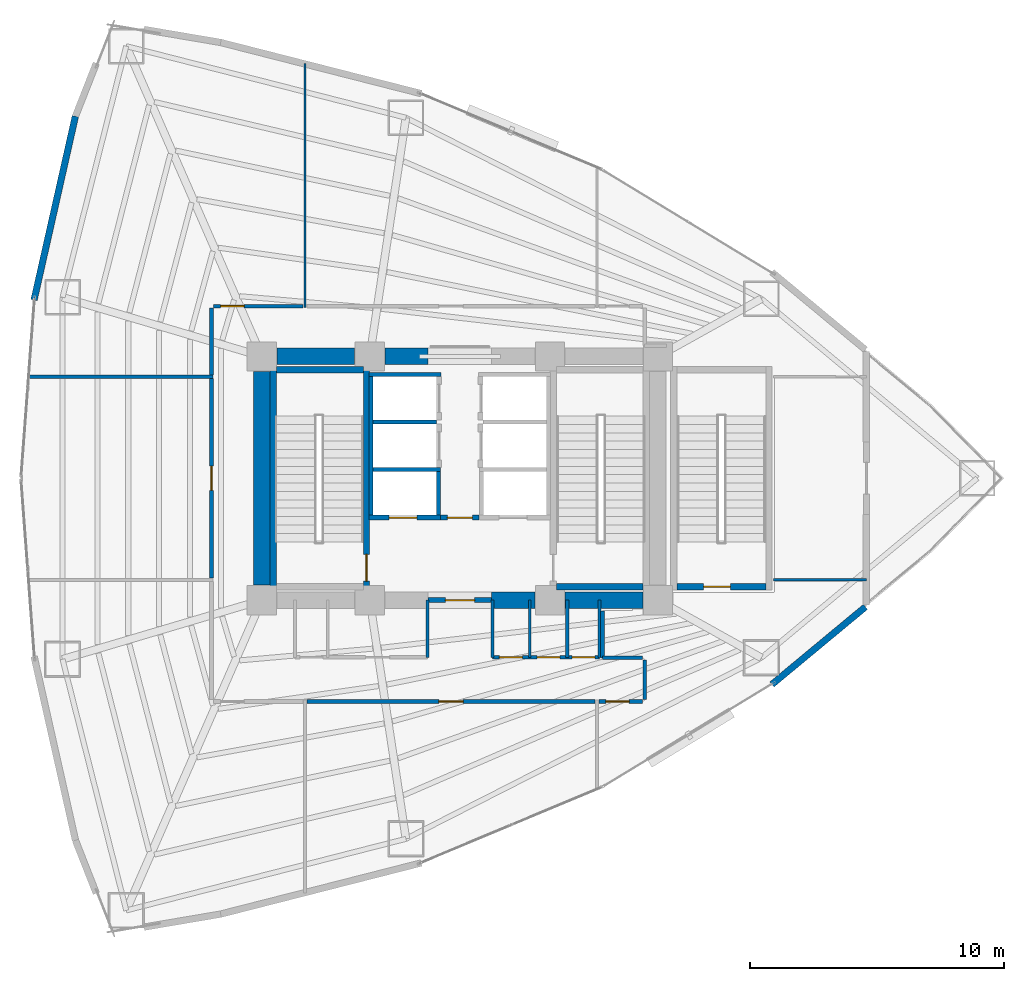
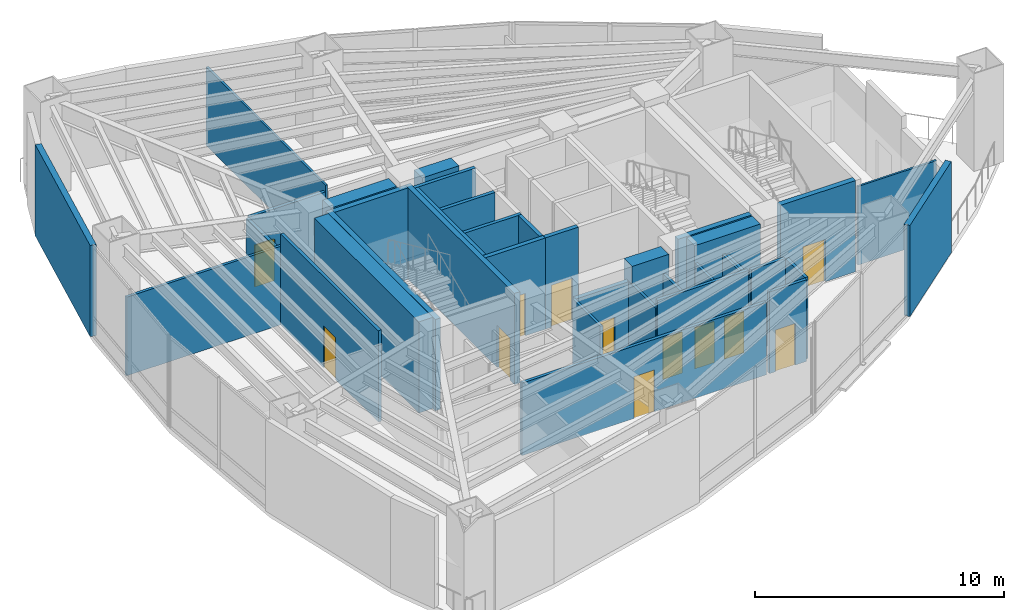
# One storey, part 14 of 18: 37 walls, 12 doors, 12 openings.
"""IFC4 building model written with IfcOpenShell, lengths in metres."""

from ifc_helpers import new_model, si_unit, direction, frame, frame_2d, origin, place, context, subcontext, project, spatial, rectangle, extrude, material, layer, layer_set, type_object, element, fill, save


model = new_model("IFC4")

# Units and contexts
model_context = context("Model", 3, precision=1e-05, world=origin(), true_north=direction((0.0, 1.0)))
body_context = subcontext(model_context, "Body", "Model", "MODEL_VIEW")
ifc_project = project(units=[si_unit("LENGTHUNIT", "METRE"), si_unit("AREAUNIT", "SQUARE_METRE"), si_unit("VOLUMEUNIT", "CUBIC_METRE"), si_unit("PLANEANGLEUNIT", "RADIAN"), si_unit("MASSUNIT", "GRAM", prefix="KILO")], contexts=[model_context])

# Site, building, storey
site_placement = place(None, origin())
site = spatial("IfcSite", under=ifc_project, at=site_placement, CompositionType="ELEMENT")
building_placement = place(site_placement, origin())
building = spatial("IfcBuilding", under=site, at=building_placement, Name="Menara Vayukalpa", CompositionType="ELEMENT")
storey_placement = place(building_placement, frame((0.0, 0.0, 18.0)))
storey = spatial("IfcBuildingStorey", under=building, at=storey_placement, Name="L03", CompositionType="ELEMENT", Elevation=18.0)

# Walls
ifc_material_1 = material(Name="Concrete C80/95", Category="concrete")
ifc_layer_1 = layer(ifc_material_1, 0.64990234375)
ifc_layer_set_1 = layer_set([ifc_layer_1], Name="Concrete C80/95")
wall_type_1 = type_object("IfcWallType", Name="WAL-CW650", PredefinedType="SHEAR", material=ifc_layer_set_1)
wall_1_placement = place(storey_placement, frame((26.85009765625, 17.199951171875, 0.0), z_axis=(0.0, 0.0, 1.0), x_axis=(1.0, 0.0, 0.0)))
element("IfcWall", 1, at=wall_1_placement, inside=storey, type_object=wall_type_1, Name="L03 Buttressed Core Shear Wall CWS3", PredefinedType="SHEAR", context=body_context, shape_type="SweptSolid", body=[
    extrude(rectangle(XDim=1.704833984375, YDim=0.64990234375, at=frame_2d((0.8525390625, 0.0))), origin(), (0.0, 0.0, 1.0), 4.47998046875),
])
wall_2_placement = place(storey_placement, frame((29.7451171875, 17.199951171875, 0.0), z_axis=(0.0, 0.0, 1.0), x_axis=(1.0, 0.0, 0.0)))
element("IfcWall", 2, at=wall_2_placement, inside=storey, type_object=wall_type_1, Name="L03 Buttressed Core Shear Wall CWS4", PredefinedType="SHEAR", context=body_context, shape_type="SweptSolid", body=[
    extrude(rectangle(XDim=3.059814453125, YDim=0.64990234375, at=frame_2d((1.52978515625, 0.0))), origin(), (0.0, 0.0, 1.0), 4.47998046875),
])
wall_3_placement = place(storey_placement, frame((18.39501953125, 26.800048828125, 0.0), z_axis=(0.0, 0.0, 1.0), x_axis=(1.0, 0.0, 0.0)))
element("IfcWall", 3, at=wall_3_placement, inside=storey, type_object=wall_type_1, Name="L03 Buttressed Core Shear Wall CWN1", PredefinedType="SHEAR", context=body_context, shape_type="SweptSolid", body=[
    extrude(rectangle(XDim=3.06005859375, YDim=0.64990234375, at=frame_2d((1.530029296875, 0.0))), origin(), (0.0, 0.0, 1.0), 4.47998046875),
])
wall_4_placement = place(storey_placement, frame((22.64501953125, 26.800048828125, 0.0), z_axis=(0.0, 0.0, 1.0), x_axis=(1.0, 0.0, 0.0)))
element("IfcWall", 4, at=wall_4_placement, inside=storey, type_object=wall_type_1, Name="L03 Buttressed Core Shear Wall CWN2", PredefinedType="SHEAR", context=body_context, shape_type="SweptSolid", body=[
    extrude(rectangle(XDim=1.705078125, YDim=0.64990234375, at=frame_2d((0.8525390625, 0.0))), origin(), (0.0, 0.0, 1.0), 4.47998046875),
])
wall_5_placement = place(storey_placement, frame((17.800048828125, 17.794921875, 0.0), z_axis=(0.0, 0.0, 1.0), x_axis=(0.0, 1.0, 0.0)))
element("IfcWall", 5, at=wall_5_placement, inside=storey, type_object=wall_type_1, Name="L03 Buttressed Core Shear Wall CWW1", PredefinedType="SHEAR", context=body_context, shape_type="SweptSolid", body=[
    extrude(rectangle(XDim=8.41015625, YDim=0.64990234375, at=frame_2d((4.205078125, 0.0))), origin(), (0.0, 0.0, 1.0), 4.47998046875),
])
ifc_material_2 = material(Name="Insulated Precast Concrete C40/50", Category="concrete")
ifc_layer_2 = layer(ifc_material_2, 0.260009765625)
ifc_layer_set_2 = layer_set([ifc_layer_2], Name="Insulated Precast Concrete C40/50")
wall_type_2 = type_object("IfcWallType", Name="WAL-EXT260", PredefinedType="PARTITIONING", material=ifc_layer_set_2)
wall_6_placement = place(storey_placement, frame((8.827880859375, 29.021484375, 0.0), z_axis=(0.0, 0.0, 1.0), x_axis=(0.219512195122, 0.975609756098, 0.0)))
element("IfcWall", 6, at=wall_6_placement, inside=storey, type_object=wall_type_2, Name="L03 Perimeter Terracotta Pier Wall 09", PredefinedType="PARTITIONING", context=body_context, shape_type="SweptSolid", body=[
    extrude(rectangle(XDim=7.417236328125, YDim=0.260009765625, at=frame_2d((3.70849609375, 0.0))), origin(), (0.0, 0.0, 1.0), 4.47998046875),
])
wall_7_placement = place(storey_placement, frame((41.572509765625, 16.933837890625, 0.0), z_axis=(0.0, 0.0, 1.0), x_axis=(-0.769749401626, -0.638346190321, 0.0)))
element("IfcWall", 7, at=wall_7_placement, inside=storey, type_object=wall_type_2, Name="L03 Perimeter Terracotta Pier Wall 18", PredefinedType="PARTITIONING", context=body_context, shape_type="SweptSolid", body=[
    extrude(rectangle(XDim=4.7861328125, YDim=0.260009765625, at=frame_2d((2.39306640625, 0.0))), origin(), (0.0, 0.0, 1.0), 4.47998046875),
])
ifc_material_3 = material(Name="Lightweight Concrete Blockwork C16/20", Category="masonry")
ifc_layer_3 = layer(ifc_material_3, 0.159912109375)
ifc_layer_set_3 = layer_set([ifc_layer_3], Name="Lightweight Concrete Blockwork C16/20")
wall_type_3 = type_object("IfcWallType", Name="WAL-FR150", PredefinedType="PARTITIONING", material=ifc_layer_set_3)
wall_8_placement = place(storey_placement, frame((22.10498046875, 20.56005859375, 0.0), z_axis=(0.0, 0.0, 1.0), x_axis=(0.0, 1.0, 0.0)))
element("IfcWall", 8, at=wall_8_placement, inside=storey, type_object=wall_type_3, Name="L03 Interior Partition IW-L03-SHW-WW", PredefinedType="PARTITIONING", context=body_context, shape_type="SweptSolid", body=[
    extrude(rectangle(XDim=5.449951171875, YDim=0.159912109375, at=frame_2d((2.72509765625, 0.0))), origin(), (0.0, 0.0, 1.0), 4.47998046875),
])
wall_9_placement = place(storey_placement, frame((24.7548828125, 20.56005859375, 0.0), z_axis=(0.0, 0.0, 1.0), x_axis=(0.0, 1.0, 0.0)))
element("IfcWall", 9, at=wall_9_placement, inside=storey, type_object=wall_type_3, Name="L03 Interior Partition IW-L03-SHW-W1E", PredefinedType="PARTITIONING", context=body_context, shape_type="SweptSolid", body=[
    extrude(rectangle(XDim=1.7099609375, YDim=0.159912109375, at=frame_2d((0.85498046875, 0.0))), origin(), (0.0, 0.0, 1.0), 4.47998046875),
])
wall_10_placement = place(storey_placement, frame((22.179931640625, 22.344970703125, 0.0), z_axis=(0.0, 0.0, 1.0), x_axis=(1.0, 0.0, 0.0)))
element("IfcWall", 10, at=wall_10_placement, inside=storey, type_object=wall_type_3, Name="L03 Interior Partition IW-L03-SHM-W12", PredefinedType="PARTITIONING", context=body_context, shape_type="SweptSolid", body=[
    extrude(rectangle(XDim=2.650146484375, YDim=0.159912109375, at=frame_2d((1.3251953125, 0.0))), origin(), (0.0, 0.0, 1.0), 4.47998046875),
])
wall_11_placement = place(storey_placement, frame((22.179931640625, 24.215087890625, 0.0), z_axis=(0.0, 0.0, 1.0), x_axis=(1.0, 0.0, 0.0)))
element("IfcWall", 11, at=wall_11_placement, inside=storey, type_object=wall_type_3, Name="L03 Interior Partition IW-L03-SHM-W23", PredefinedType="PARTITIONING", context=body_context, shape_type="SweptSolid", body=[
    extrude(rectangle(XDim=2.489990234375, YDim=0.159912109375, at=frame_2d((1.2451171875, 0.0))), origin(), (0.0, 0.0, 1.0), 4.47998046875),
])
wall_12_placement = place(storey_placement, frame((22.030029296875, 26.0849609375, 0.0), z_axis=(0.0, 0.0, 1.0), x_axis=(1.0, 0.0, 0.0)))
element("IfcWall", 12, at=wall_12_placement, inside=storey, type_object=wall_type_3, Name="L03 Interior Partition IW-L03-SHM-W3N", PredefinedType="PARTITIONING", context=body_context, shape_type="SweptSolid", body=[
    extrude(rectangle(XDim=2.830078125, YDim=0.159912109375, at=frame_2d((1.4150390625, 0.0))), origin(), (0.0, 0.0, 1.0), 4.47998046875),
])

# Wall, opening, door
ifc_material_4 = material(Name="Lightweight Concrete Blockwork C16/20", Category="masonry")
ifc_layer_4 = layer(ifc_material_4, 0.199951171875)
ifc_layer_set_4 = layer_set([ifc_layer_4], Name="Lightweight Concrete Blockwork C16/20")
wall_type_4 = type_object("IfcWallType", Name="WAL-FR200", PredefinedType="PARTITIONING", material=ifc_layer_set_4)
wall_13_placement = place(storey_placement, frame((24.35009765625, 17.199951171875, 0.0), z_axis=(0.0, 0.0, 1.0), x_axis=(1.0, 0.0, 0.0)))
wall_13 = element("IfcWall", 13, at=wall_13_placement, inside=storey, type_object=wall_type_4, Name="L03 Interior Partition IW-L03-FFLS", PredefinedType="PARTITIONING", context=body_context, shape_type="SweptSolid", body=[
    extrude(rectangle(XDim=2.5, YDim=0.199951171875, at=frame_2d((1.25, 0.0))), origin(), (0.0, 0.0, 1.0), 3.610107421875),
])
opening_1_placement = place(wall_13_placement, frame((0.679931640625, 0.0, 0.0)))
opening_1 = element("IfcOpeningElement", 14, at=opening_1_placement, cuts=wall_13, Name="Opening ID2", PredefinedType="OPENING", context=body_context, shape_type="SweptSolid", body=[
    extrude(rectangle(XDim=1.14990234375, YDim=2.080078125, at=frame_2d((0.574951171875, 1.0400390625))), frame((0.0, 0.10986328125, 0.0), z_axis=(0.0, -1.0, 0.0), x_axis=(1.0, 0.0, 0.0)), (0.0, 0.0, 1.0), 0.219970703125),
])
ifc_material_5 = material(Name="Fire-Rated Powder-Coated Steel Door", Category="steel")
door_type_1 = type_object("IfcDoorType", Name="DR-FD60W", OperationType="NOTDEFINED", PredefinedType="DOOR", material=ifc_material_5)
door_1_placement = place(opening_1_placement, origin())
door_1 = element("IfcDoor", 15, at=door_1_placement, inside=storey, type_object=door_type_1, Name="L03 Interior Door DR-L03-FFLS", OperationType="SINGLE_SWING_LEFT", OverallHeight=2.080078125, OverallWidth=1.14990234375, PredefinedType="DOOR", context=body_context, shape_type="SweptSolid", body=[
    extrude(rectangle(XDim=1.14990234375, YDim=2.080078125, at=frame_2d((0.574951171875, 1.0400390625))), frame((0.0, 0.02490234375, 0.0), z_axis=(0.0, -1.0, 0.0), x_axis=(1.0, 0.0, 0.0)), (0.0, 0.0, 1.0), 0.050048828125),
])
fill(opening_1, door_1)

wall_14_placement = place(storey_placement, frame((24.840087890625, 20.449951171875, 0.0), z_axis=(0.0, 0.0, 1.0), x_axis=(1.0, 0.0, 0.0)))
wall_14 = element("IfcWall", 16, at=wall_14_placement, inside=storey, type_object=wall_type_4, Name="L03 Interior Partition IW-L03-FFLN", PredefinedType="PARTITIONING", context=body_context, shape_type="SweptSolid", body=[
    extrude(rectangle(XDim=1.52001953125, YDim=0.199951171875, at=frame_2d((0.760009765625, 0.0))), origin(), (0.0, 0.0, 1.0), 4.47998046875),
])
opening_2_placement = place(wall_14_placement, frame((0.27001953125, 0.0, 0.0)))
opening_2 = element("IfcOpeningElement", 17, at=opening_2_placement, cuts=wall_14, Name="Opening ID3", PredefinedType="OPENING", context=body_context, shape_type="SweptSolid", body=[
    extrude(rectangle(XDim=0.97998046875, YDim=2.06005859375, at=frame_2d((0.489990234375, 1.030029296875))), frame((0.0, 0.10986328125, 0.0), z_axis=(0.0, -1.0, 0.0), x_axis=(1.0, 0.0, 0.0)), (0.0, 0.0, 1.0), 0.219970703125),
])
ifc_material_6 = material(Name="Fire-Rated Powder-Coated Steel Door", Category="steel")
door_type_2 = type_object("IfcDoorType", Name="DR-FD60", OperationType="NOTDEFINED", PredefinedType="DOOR", material=ifc_material_6)
door_2_placement = place(opening_2_placement, origin())
door_2 = element("IfcDoor", 18, at=door_2_placement, inside=storey, type_object=door_type_2, Name="L03 Interior Door DR-L03-FFLN", OperationType="SINGLE_SWING_RIGHT", OverallHeight=2.06005859375, OverallWidth=0.97998046875, PredefinedType="DOOR", context=body_context, shape_type="SweptSolid", body=[
    extrude(rectangle(XDim=0.97998046875, YDim=2.06005859375, at=frame_2d((0.489990234375, 1.030029296875))), frame((0.0, 0.02490234375, 0.0), z_axis=(0.0, -1.0, 0.0), x_axis=(1.0, 0.0, 0.0)), (0.0, 0.0, 1.0), 0.050048828125),
])
fill(opening_2, door_2)

wall_15_placement = place(storey_placement, frame((22.030029296875, 20.449951171875, 0.0), z_axis=(0.0, 0.0, 1.0), x_axis=(1.0, 0.0, 0.0)))
wall_15 = element("IfcWall", 19, at=wall_15_placement, inside=storey, type_object=wall_type_4, Name="L03 Interior Partition IW-L03-SH-W1", PredefinedType="PARTITIONING", context=body_context, shape_type="SweptSolid", body=[
    extrude(rectangle(XDim=2.800048828125, YDim=0.199951171875, at=frame_2d((1.39990234375, 0.0))), origin(), (0.0, 0.0, 1.0), 4.47998046875),
])
opening_3_placement = place(wall_15_placement, frame((0.780029296875, 0.0, 0.0)))
opening_3 = element("IfcOpeningElement", 20, at=opening_3_placement, cuts=wall_15, Name="Opening LD1", PredefinedType="OPENING", context=body_context, shape_type="SweptSolid", body=[
    extrude(rectangle(XDim=1.10009765625, YDim=2.080078125, at=frame_2d((0.550048828125, 1.0400390625))), frame((0.0, 0.10986328125, 0.0), z_axis=(0.0, -1.0, 0.0), x_axis=(1.0, 0.0, 0.0)), (0.0, 0.0, 1.0), 0.219970703125),
])
ifc_material_7 = material(Name="Brushed Stainless Steel 316 Lift Door", Category="steel")
door_type_3 = type_object("IfcDoorType", Name="DR-LD110", OperationType="NOTDEFINED", PredefinedType="DOOR", material=ifc_material_7)
door_3_placement = place(opening_3_placement, origin())
door_3 = element("IfcDoor", 21, at=door_3_placement, inside=storey, type_object=door_type_3, Name="L03 Interior Door DR-L03-LD-W1", OperationType="DOUBLE_DOOR_SLIDING", OverallHeight=2.080078125, OverallWidth=1.10009765625, PredefinedType="DOOR", context=body_context, shape_type="SweptSolid", body=[
    extrude(rectangle(XDim=1.10009765625, YDim=2.080078125, at=frame_2d((0.550048828125, 1.0400390625))), frame((0.0, 0.02490234375, 0.0), z_axis=(0.0, -1.0, 0.0), x_axis=(1.0, 0.0, 0.0)), (0.0, 0.0, 1.0), 0.050048828125),
])
fill(opening_3, door_3)

# Walls
ifc_material_8 = material(Name="Glazed Demountable Office Partition", Category="glass")
ifc_layer_5 = layer(ifc_material_8, 0.094970703125)
ifc_layer_set_5 = layer_set([ifc_layer_5], Name="Glazed Demountable Office Partition")
wall_type_5 = type_object("IfcWallType", Name="WAL-PT100", PredefinedType="PARTITIONING", material=ifc_layer_set_5)
wall_16_placement = place(storey_placement, frame((19.5, 28.72998046875, 0.0), z_axis=(0.0, 0.0, 1.0), x_axis=(0.0, 1.0, 0.0)))
element("IfcWall", 22, at=wall_16_placement, inside=storey, type_object=wall_type_5, Name="L03 Interior Partition IW-L03-RDIV02", PredefinedType="PARTITIONING", context=body_context, shape_type="SweptSolid", body=[
    extrude(rectangle(XDim=9.6015625, YDim=0.094970703125, at=frame_2d((4.80078125, 0.0))), origin(), (0.0, 0.0, 1.0), 3.860107421875),
])
wall_17_placement = place(storey_placement, frame((37.9599609375, 18.0, 0.0), z_axis=(0.0, 0.0, 1.0), x_axis=(1.0, 0.0, 0.0)))
element("IfcWall", 23, at=wall_17_placement, inside=storey, type_object=wall_type_5, Name="L03 Interior Partition IW-L03-RDIV06", PredefinedType="PARTITIONING", context=body_context, shape_type="SweptSolid", body=[
    extrude(rectangle(XDim=3.6591796875, YDim=0.094970703125, at=frame_2d((1.82958984375, 0.0))), origin(), (0.0, 0.0, 1.0), 3.860107421875),
])
ifc_material_9 = material(Name="Acoustic Mineral Stud Partition", Category="masonry")
ifc_layer_6 = layer(ifc_material_9, 0.110107421875)
ifc_layer_set_6 = layer_set([ifc_layer_6], Name="Acoustic Mineral Stud Partition")
wall_type_6 = type_object("IfcWallType", Name="WAL-PT110", PredefinedType="PARTITIONING", material=ifc_layer_set_6)
wall_18_placement = place(storey_placement, frame((28.35009765625, 14.949951171875, 0.0), z_axis=(0.0, 0.0, 1.0), x_axis=(0.0, 1.0, 0.0)))
element("IfcWall", 24, at=wall_18_placement, inside=storey, type_object=wall_type_6, Name="L03 Interior Partition IW-L03-SVCD-05", PredefinedType="PARTITIONING", context=body_context, shape_type="SweptSolid", body=[
    extrude(rectangle(XDim=2.25, YDim=0.110107421875, at=frame_2d((1.125, 0.0))), origin(), (0.0, 0.0, 1.0), 3.610107421875),
])
ifc_material_10 = material(Name="Gypsum Drywall Steel Stud Assembly", Category="steel")
ifc_layer_7 = layer(ifc_material_10, 0.125)
ifc_layer_set_7 = layer_set([ifc_layer_7], Name="Gypsum Drywall Steel Stud Assembly")
wall_type_7 = type_object("IfcWallType", Name="WAL-PT125", PredefinedType="PARTITIONING", material=ifc_layer_set_7)
for number, where, z_axis, x_axis, name in (
    (25, (24.320068359375, 14.949951171875, 0.0), (0.0, 0.0, 1.0), (0.0, 1.0, 0.0), "L03 Interior Partition IW-L03-SVCD-03"),
    (26, (26.8798828125, 14.949951171875, 0.0), (0.0, 0.0, 1.0), (0.0, 1.0, 0.0), "L03 Interior Partition IW-L03-SVCD-04"),
    (27, (29.830078125, 14.949951171875, 0.0), (0.0, 0.0, 1.0), (0.0, 1.0, 0.0), "L03 Interior Partition IW-L03-SVCD-06"),
    (28, (31.10009765625, 14.949951171875, 0.0), (0.0, 0.0, 1.0), (0.0, 1.0, 0.0), "L03 Interior Partition IW-L03-SVCD-07"),
):
    element("IfcWall", number, at=place(storey_placement, frame(where, z_axis=z_axis, x_axis=x_axis)), inside=storey, type_object=wall_type_7, Name=name, PredefinedType="PARTITIONING", context=body_context, shape_type="SweptSolid", body=[
        extrude(rectangle(XDim=2.25, YDim=0.125, at=frame_2d((1.125, 0.0))), origin(), (0.0, 0.0, 1.0), 3.610107421875),
    ])
wall_19_placement = place(storey_placement, frame((8.607421875, 26.0, 0.0), z_axis=(0.0, 0.0, 1.0), x_axis=(1.0, 0.0, 0.0)))
element("IfcWall", 29, at=wall_19_placement, inside=storey, type_object=wall_type_7, Name="L03 Interior Partition IW-L03-RDIV07", PredefinedType="PARTITIONING", context=body_context, shape_type="SweptSolid", body=[
    extrude(rectangle(XDim=7.2626953125, YDim=0.125, at=frame_2d((3.63134765625, 0.0))), origin(), (0.0, 0.0, 1.0), 3.860107421875),
])

# Wall, openings, doors
ifc_material_11 = material(Name="Gypsum Drywall Acoustic Stud Assembly", Category="masonry")
ifc_layer_8 = layer(ifc_material_11, 0.14501953125)
ifc_layer_set_8 = layer_set([ifc_layer_8], Name="Gypsum Drywall Acoustic Stud Assembly")
wall_type_8 = type_object("IfcWallType", Name="WAL-PT150", PredefinedType="PARTITIONING", material=ifc_layer_set_8)
wall_20_placement = place(storey_placement, frame((26.8798828125, 14.949951171875, 0.0), z_axis=(0.0, 0.0, 1.0), x_axis=(1.0, 0.0, 0.0)))
wall_20 = element("IfcWall", 30, at=wall_20_placement, inside=storey, type_object=wall_type_8, Name="L03 Interior Partition IW-L03-SVCS-E", PredefinedType="PARTITIONING", context=body_context, shape_type="SweptSolid", body=[
    extrude(rectangle(XDim=4.22021484375, YDim=0.14501953125, at=frame_2d((2.110107421875, 0.0))), origin(), (0.0, 0.0, 1.0), 4.010009765625),
])
opening_4_placement = place(wall_20_placement, frame((0.280029296875, 0.0, 0.0)))
opening_4 = element("IfcOpeningElement", 31, at=opening_4_placement, cuts=wall_20, Name="Opening ID7", PredefinedType="OPENING", context=body_context, shape_type="SweptSolid", body=[
    extrude(rectangle(XDim=0.89990234375, YDim=2.02001953125, at=frame_2d((0.449951171875, 1.010009765625))), frame((0.0, 0.08251953125, 0.0), z_axis=(0.0, -1.0, 0.0), x_axis=(1.0, 0.0, 0.0)), (0.0, 0.0, 1.0), 0.1650390625),
])
opening_5_placement = place(wall_20_placement, frame((1.760009765625, 0.0, 0.0)))
opening_5 = element("IfcOpeningElement", 32, at=opening_5_placement, cuts=wall_20, Name="Opening ID7", PredefinedType="OPENING", context=body_context, shape_type="SweptSolid", body=[
    extrude(rectangle(XDim=0.89990234375, YDim=2.02001953125, at=frame_2d((0.449951171875, 1.010009765625))), frame((0.0, 0.08251953125, 0.0), z_axis=(0.0, -1.0, 0.0), x_axis=(1.0, 0.0, 0.0)), (0.0, 0.0, 1.0), 0.1650390625),
])
opening_6_placement = place(wall_20_placement, frame((3.139892578125, 0.0, 0.0)))
opening_6 = element("IfcOpeningElement", 33, at=opening_6_placement, cuts=wall_20, Name="Opening ID7", PredefinedType="OPENING", context=body_context, shape_type="SweptSolid", body=[
    extrude(rectangle(XDim=0.89990234375, YDim=2.02001953125, at=frame_2d((0.449951171875, 1.010009765625))), frame((0.0, 0.08251953125, 0.0), z_axis=(0.0, -1.0, 0.0), x_axis=(1.0, 0.0, 0.0)), (0.0, 0.0, 1.0), 0.1650390625),
])
ifc_material_12 = material(Name="Powder-Coated Steel Riser Access Door", Category="steel")
door_type_4 = type_object("IfcDoorType", Name="DR-RISER", OperationType="NOTDEFINED", PredefinedType="DOOR", material=ifc_material_12)
door_4_placement = place(opening_4_placement, origin())
door_4 = element("IfcDoor", 34, at=door_4_placement, inside=storey, type_object=door_type_4, Name="L03 Interior Door DR-L03-KSV1", OperationType="SINGLE_SWING_LEFT", OverallHeight=2.02001953125, OverallWidth=0.89990234375, PredefinedType="DOOR", context=body_context, shape_type="SweptSolid", body=[
    extrude(rectangle(XDim=0.89990234375, YDim=2.02001953125, at=frame_2d((0.449951171875, 1.010009765625))), frame((0.0, 0.02490234375, 0.0), z_axis=(0.0, -1.0, 0.0), x_axis=(1.0, 0.0, 0.0)), (0.0, 0.0, 1.0), 0.050048828125),
])
fill(opening_4, door_4)
door_5_placement = place(opening_5_placement, origin())
door_5 = element("IfcDoor", 35, at=door_5_placement, inside=storey, type_object=door_type_4, Name="L03 Interior Door DR-L03-KSV2", OperationType="SINGLE_SWING_RIGHT", OverallHeight=2.02001953125, OverallWidth=0.89990234375, PredefinedType="DOOR", context=body_context, shape_type="SweptSolid", body=[
    extrude(rectangle(XDim=0.89990234375, YDim=2.02001953125, at=frame_2d((0.449951171875, 1.010009765625))), frame((0.0, 0.02490234375, 0.0), z_axis=(0.0, -1.0, 0.0), x_axis=(1.0, 0.0, 0.0)), (0.0, 0.0, 1.0), 0.050048828125),
])
fill(opening_5, door_5)
door_6_placement = place(opening_6_placement, origin())
door_6 = element("IfcDoor", 36, at=door_6_placement, inside=storey, type_object=door_type_4, Name="L03 Interior Door DR-L03-SMD", OperationType="SINGLE_SWING_LEFT", OverallHeight=2.02001953125, OverallWidth=0.89990234375, PredefinedType="DOOR", context=body_context, shape_type="SweptSolid", body=[
    extrude(rectangle(XDim=0.89990234375, YDim=2.02001953125, at=frame_2d((0.449951171875, 1.010009765625))), frame((0.0, 0.02490234375, 0.0), z_axis=(0.0, -1.0, 0.0), x_axis=(1.0, 0.0, 0.0)), (0.0, 0.0, 1.0), 0.050048828125),
])
fill(opening_6, door_6)

# Wall, opening, door
wall_21_placement = place(storey_placement, frame((19.570068359375, 13.2099609375, 0.0), z_axis=(0.0, 0.0, 1.0), x_axis=(1.0, 0.0, 0.0)))
wall_21 = element("IfcWall", 37, at=wall_21_placement, inside=storey, type_object=wall_type_8, Name="L03 Interior Partition IW-L03-CRM03-1", PredefinedType="PARTITIONING", context=body_context, shape_type="SweptSolid", body=[
    extrude(rectangle(XDim=11.35986328125, YDim=0.14501953125, at=frame_2d((5.679931640625, 0.0))), origin(), (0.0, 0.0, 1.0), 3.56005859375),
])
opening_7_placement = place(wall_21_placement, frame((5.205078125, 0.0, 0.0)))
opening_7 = element("IfcOpeningElement", 38, at=opening_7_placement, cuts=wall_21, Name="Opening ID5", PredefinedType="OPENING", context=body_context, shape_type="SweptSolid", body=[
    extrude(rectangle(XDim=0.949951171875, YDim=2.06005859375, at=frame_2d((0.47509765625, 1.030029296875))), frame((0.0, 0.08251953125, 0.0), z_axis=(0.0, -1.0, 0.0), x_axis=(1.0, 0.0, 0.0)), (0.0, 0.0, 1.0), 0.1650390625),
])
ifc_material_13 = material(Name="Acoustic Hardwood Veneer Timber Door", Category="wood")
door_type_5 = type_object("IfcDoorType", Name="DR-INT95", OperationType="NOTDEFINED", PredefinedType="DOOR", material=ifc_material_13)
door_7_placement = place(opening_7_placement, origin())
door_7 = element("IfcDoor", 39, at=door_7_placement, inside=storey, type_object=door_type_5, Name="L03 Interior Door DR-L03-RM03", OperationType="SINGLE_SWING_LEFT", OverallHeight=2.06005859375, OverallWidth=0.949951171875, PredefinedType="DOOR", context=body_context, shape_type="SweptSolid", body=[
    extrude(rectangle(XDim=0.949951171875, YDim=2.06005859375, at=frame_2d((0.47509765625, 1.030029296875))), frame((0.0, 0.02490234375, 0.0), z_axis=(0.0, -1.0, 0.0), x_axis=(1.0, 0.0, 0.0)), (0.0, 0.0, 1.0), 0.050048828125),
])
fill(opening_7, door_7)

wall_22_placement = place(storey_placement, frame((31.070068359375, 13.2099609375, 0.0), z_axis=(0.0, 0.0, 1.0), x_axis=(1.0, 0.0, 0.0)))
wall_22 = element("IfcWall", 40, at=wall_22_placement, inside=storey, type_object=wall_type_8, Name="L03 Interior Partition IW-L03-CRM04-1", PredefinedType="PARTITIONING", context=body_context, shape_type="SweptSolid", body=[
    extrude(rectangle(XDim=1.72998046875, YDim=0.14501953125, at=frame_2d((0.864990234375, 0.0))), origin(), (0.0, 0.0, 1.0), 4.010009765625),
])
opening_8_placement = place(wall_22_placement, frame((0.280029296875, 0.0, 0.0)))
opening_8 = element("IfcOpeningElement", 41, at=opening_8_placement, cuts=wall_22, Name="Opening ID6", PredefinedType="OPENING", context=body_context, shape_type="SweptSolid", body=[
    extrude(rectangle(XDim=0.919921875, YDim=2.050048828125, at=frame_2d((0.4599609375, 1.02490234375))), frame((0.0, 0.08251953125, 0.0), z_axis=(0.0, -1.0, 0.0), x_axis=(1.0, 0.0, 0.0)), (0.0, 0.0, 1.0), 0.1650390625),
])
ifc_material_14 = material(Name="Acoustic Hardwood Veneer Timber Door", Category="wood")
door_type_6 = type_object("IfcDoorType", Name="DR-INT92", OperationType="NOTDEFINED", PredefinedType="DOOR", material=ifc_material_14)
door_8_placement = place(opening_8_placement, origin())
door_8 = element("IfcDoor", 42, at=door_8_placement, inside=storey, type_object=door_type_6, Name="L03 Interior Door DR-L03-RM04", OperationType="SINGLE_SWING_RIGHT", OverallHeight=2.050048828125, OverallWidth=0.919921875, PredefinedType="DOOR", context=body_context, shape_type="SweptSolid", body=[
    extrude(rectangle(XDim=0.919921875, YDim=2.050048828125, at=frame_2d((0.4599609375, 1.02490234375))), frame((0.0, 0.02490234375, 0.0), z_axis=(0.0, -1.0, 0.0), x_axis=(1.0, 0.0, 0.0)), (0.0, 0.0, 1.0), 0.050048828125),
])
fill(opening_8, door_8)

# Walls
wall_23_placement = place(storey_placement, frame((32.8798828125, 13.2900390625, 0.0), z_axis=(0.0, 0.0, 1.0), x_axis=(0.0, 1.0, 0.0)))
element("IfcWall", 43, at=wall_23_placement, inside=storey, type_object=wall_type_8, Name="L03 Interior Partition IW-L03-CRM04-2", PredefinedType="PARTITIONING", context=body_context, shape_type="SweptSolid", body=[
    extrude(rectangle(XDim=1.56005859375, YDim=0.14501953125, at=frame_2d((0.780029296875, 0.0))), origin(), (0.0, 0.0, 1.0), 4.010009765625),
])
wall_24_placement = place(storey_placement, frame((32.800048828125, 14.929931640625, 0.0), z_axis=(0.0, 0.0, 1.0), x_axis=(-1.0, 0.0, 0.0)))
element("IfcWall", 44, at=wall_24_placement, inside=storey, type_object=wall_type_8, Name="L03 Interior Partition IW-L03-CRM04-3", PredefinedType="PARTITIONING", context=body_context, shape_type="SweptSolid", body=[
    extrude(rectangle(XDim=1.580078125, YDim=0.14501953125, at=frame_2d((0.7900390625, 0.0))), origin(), (0.0, 0.0, 1.0), 4.010009765625),
])
wall_25_placement = place(storey_placement, frame((31.219970703125, 14.929931640625, 0.0), z_axis=(0.0, 0.0, 1.0), x_axis=(0.0, 1.0, 0.0)))
element("IfcWall", 45, at=wall_25_placement, inside=storey, type_object=wall_type_8, Name="L03 Interior Partition IW-L03-CRM04-4", PredefinedType="PARTITIONING", context=body_context, shape_type="SweptSolid", body=[
    extrude(rectangle(XDim=1.85009765625, YDim=0.14501953125, at=frame_2d((0.925048828125, 0.0))), origin(), (0.0, 0.0, 1.0), 3.610107421875),
])

# Wall, opening, door
wall_26_placement = place(storey_placement, frame((19.429931640625, 28.780029296875, 0.0), z_axis=(0.0, 0.0, 1.0), x_axis=(-1.0, 0.0, 0.0)))
wall_26 = element("IfcWall", 46, at=wall_26_placement, inside=storey, type_object=wall_type_8, Name="L03 Interior Partition IW-L03-CRM08-1", PredefinedType="PARTITIONING", context=body_context, shape_type="SweptSolid", body=[
    extrude(rectangle(XDim=3.530029296875, YDim=0.14501953125, at=frame_2d((1.76513671875, 0.0))), origin(), (0.0, 0.0, 1.0), 3.56005859375),
])
opening_9_placement = place(wall_26_placement, frame((2.330078125, 0.0, 0.0)))
opening_9 = element("IfcOpeningElement", 47, at=opening_9_placement, cuts=wall_26, Name="Opening ID6", PredefinedType="OPENING", context=body_context, shape_type="SweptSolid", body=[
    extrude(rectangle(XDim=0.919921875, YDim=2.050048828125, at=frame_2d((0.4599609375, 1.02490234375))), frame((0.0, 0.08251953125, 0.0), z_axis=(0.0, -1.0, 0.0), x_axis=(1.0, 0.0, 0.0)), (0.0, 0.0, 1.0), 0.1650390625),
])
door_9_placement = place(opening_9_placement, origin())
door_9 = element("IfcDoor", 48, at=door_9_placement, inside=storey, type_object=door_type_6, Name="L03 Interior Door DR-L03-RM08", OperationType="SINGLE_SWING_LEFT", OverallHeight=2.050048828125, OverallWidth=0.919921875, PredefinedType="DOOR", context=body_context, shape_type="SweptSolid", body=[
    extrude(rectangle(XDim=0.919921875, YDim=2.050048828125, at=frame_2d((0.4599609375, 1.02490234375))), frame((0.0, 0.02490234375, 0.0), z_axis=(0.0, -1.0, 0.0), x_axis=(1.0, 0.0, 0.0)), (0.0, 0.0, 1.0), 0.050048828125),
])
fill(opening_9, door_9)

# Wall
wall_27_placement = place(storey_placement, frame((15.820068359375, 28.699951171875, 0.0), z_axis=(0.0, 0.0, 1.0), x_axis=(0.0, -1.0, 0.0)))
element("IfcWall", 49, at=wall_27_placement, inside=storey, type_object=wall_type_8, Name="L03 Interior Partition IW-L03-CRM08-2", PredefinedType="PARTITIONING", context=body_context, shape_type="SweptSolid", body=[
    extrude(rectangle(XDim=2.6298828125, YDim=0.14501953125, at=frame_2d((1.31494140625, 0.0))), origin(), (0.0, 0.0, 1.0), 3.56005859375),
])

# Wall, opening, door
wall_28_placement = place(storey_placement, frame((15.820068359375, 25.929931640625, 0.0), z_axis=(0.0, 0.0, 1.0), x_axis=(0.0, -1.0, 0.0)))
wall_28 = element("IfcWall", 50, at=wall_28_placement, inside=storey, type_object=wall_type_8, Name="L03 Interior Partition IW-L03-CRM09-1", PredefinedType="PARTITIONING", context=body_context, shape_type="SweptSolid", body=[
    extrude(rectangle(XDim=7.85986328125, YDim=0.14501953125, at=frame_2d((3.929931640625, 0.0))), origin(), (0.0, 0.0, 1.0), 4.47998046875),
])
opening_10_placement = place(wall_28_placement, frame((3.455078125, 0.0, 0.0)))
opening_10 = element("IfcOpeningElement", 51, at=opening_10_placement, cuts=wall_28, Name="Opening ID5", PredefinedType="OPENING", context=body_context, shape_type="SweptSolid", body=[
    extrude(rectangle(XDim=0.949951171875, YDim=2.06005859375, at=frame_2d((0.47509765625, 1.030029296875))), frame((0.0, 0.08251953125, 0.0), z_axis=(0.0, -1.0, 0.0), x_axis=(1.0, 0.0, 0.0)), (0.0, 0.0, 1.0), 0.1650390625),
])
door_10_placement = place(opening_10_placement, origin())
door_10 = element("IfcDoor", 52, at=door_10_placement, inside=storey, type_object=door_type_5, Name="L03 Interior Door DR-L03-RM09", OperationType="SINGLE_SWING_RIGHT", OverallHeight=2.06005859375, OverallWidth=0.949951171875, PredefinedType="DOOR", context=body_context, shape_type="SweptSolid", body=[
    extrude(rectangle(XDim=0.949951171875, YDim=2.06005859375, at=frame_2d((0.47509765625, 1.030029296875))), frame((0.0, 0.02490234375, 0.0), z_axis=(0.0, -1.0, 0.0), x_axis=(1.0, 0.0, 0.0)), (0.0, 0.0, 1.0), 0.050048828125),
])
fill(opening_10, door_10)

# Wall
ifc_material_15 = material(Name="Concrete C50/60", Category="concrete")
ifc_layer_9 = layer(ifc_material_15, 0.25)
ifc_layer_set_9 = layer_set([ifc_layer_9], Name="Concrete C50/60")
wall_type_9 = type_object("IfcWallType", Name="WAL-SW250", PredefinedType="SHEAR", material=ifc_layer_set_9)
wall_29_placement = place(storey_placement, frame((18.25390625, 17.60009765625, 0.0), z_axis=(0.0, 0.0, 1.0), x_axis=(0.0, 1.0, 0.0)))
element("IfcWall", 53, at=wall_29_placement, inside=storey, type_object=wall_type_9, Name="L03 ST1 Structural Stair Shaft Wall W", PredefinedType="SHEAR", context=body_context, shape_type="SweptSolid", body=[
    extrude(rectangle(XDim=8.7998046875, YDim=0.25, at=frame_2d((4.39990234375, 0.0))), origin(), (0.0, 0.0, 1.0), 4.47998046875),
])

# Wall, opening, door
wall_30_placement = place(storey_placement, frame((21.925048828125, 17.60009765625, 0.0), z_axis=(0.0, 0.0, 1.0), x_axis=(0.0, 1.0, 0.0)))
wall_30 = element("IfcWall", 54, at=wall_30_placement, inside=storey, type_object=wall_type_9, Name="L03 ST1 Structural Stair Shaft Wall E", PredefinedType="SHEAR", context=body_context, shape_type="SweptSolid", body=[
    extrude(rectangle(XDim=8.7998046875, YDim=0.25, at=frame_2d((4.39990234375, 0.0))), origin(), (0.0, 0.0, 1.0), 4.47998046875),
])
opening_11_placement = place(wall_30_placement, frame((0.35009765625, 0.0, 0.0)))
opening_11 = element("IfcOpeningElement", 55, at=opening_11_placement, cuts=wall_30, Name="Opening ID1", PredefinedType="OPENING", context=body_context, shape_type="SweptSolid", body=[
    extrude(rectangle(XDim=1.050048828125, YDim=2.080078125, at=frame_2d((0.52490234375, 1.0400390625))), frame((0.0, 0.135009765625, 0.0), z_axis=(0.0, -1.0, 0.0), x_axis=(1.0, 0.0, 0.0)), (0.0, 0.0, 1.0), 0.27001953125),
])
ifc_material_16 = material(Name="Fire-Rated Powder-Coated Steel Door", Category="steel")
door_type_7 = type_object("IfcDoorType", Name="DR-FD120", OperationType="NOTDEFINED", PredefinedType="DOOR", material=ifc_material_16)
door_11_placement = place(opening_11_placement, origin())
door_11 = element("IfcDoor", 56, at=door_11_placement, inside=storey, type_object=door_type_7, Name="L03 Stair Exit Door DR-L03-ST1", OperationType="SINGLE_SWING_LEFT", OverallHeight=2.080078125, OverallWidth=1.050048828125, PredefinedType="DOOR", context=body_context, shape_type="SweptSolid", body=[
    extrude(rectangle(XDim=1.050048828125, YDim=2.080078125, at=frame_2d((0.52490234375, 1.0400390625))), frame((0.0, 0.02490234375, 0.0), z_axis=(0.0, -1.0, 0.0), x_axis=(1.0, 0.0, 0.0)), (0.0, 0.0, 1.0), 0.050048828125),
])
fill(opening_11, door_11)

# Walls
for number, where, z_axis, x_axis, name in (
    (57, (18.37890625, 26.27490234375, 0.0), (0.0, 0.0, 1.0), (1.0, 0.0, 0.0), "L03 ST1 Structural Stair Shaft Wall N"),
    (58, (29.39990234375, 17.72509765625, 0.0), (0.0, 0.0, 1.0), (1.0, 0.0, 0.0), "L03 ST2 Structural Stair Shaft Wall S"),
):
    element("IfcWall", number, at=place(storey_placement, frame(where, z_axis=z_axis, x_axis=x_axis)), inside=storey, type_object=wall_type_9, Name=name, PredefinedType="SHEAR", context=body_context, shape_type="SweptSolid", body=[
        extrude(rectangle(XDim=3.421142578125, YDim=0.25, at=frame_2d((1.71044921875, 0.0))), origin(), (0.0, 0.0, 1.0), 4.47998046875),
    ])

# Wall, opening, door
wall_31_placement = place(storey_placement, frame((34.14990234375, 17.72509765625, 0.0), z_axis=(0.0, 0.0, 1.0), x_axis=(1.0, 0.0, 0.0)))
wall_31 = element("IfcWall", 59, at=wall_31_placement, inside=storey, type_object=wall_type_9, Name="L03 ST3 Structural Stair Shaft Wall S", PredefinedType="SHEAR", context=body_context, shape_type="SweptSolid", body=[
    extrude(rectangle(XDim=3.5, YDim=0.25, at=frame_2d((1.75, 0.0))), origin(), (0.0, 0.0, 1.0), 4.47998046875),
])
opening_12_placement = place(wall_31_placement, frame((1.050048828125, 0.0, 0.0)))
opening_12 = element("IfcOpeningElement", 60, at=opening_12_placement, cuts=wall_31, Name="Opening ID1", PredefinedType="OPENING", context=body_context, shape_type="SweptSolid", body=[
    extrude(rectangle(XDim=1.050048828125, YDim=2.080078125, at=frame_2d((0.52490234375, 1.0400390625))), frame((0.0, 0.135009765625, 0.0), z_axis=(0.0, -1.0, 0.0), x_axis=(1.0, 0.0, 0.0)), (0.0, 0.0, 1.0), 0.27001953125),
])
door_12_placement = place(opening_12_placement, origin())
door_12 = element("IfcDoor", 61, at=door_12_placement, inside=storey, type_object=door_type_7, Name="L03 Stair Exit Door DR-L03-ST3", OperationType="SINGLE_SWING_RIGHT", OverallHeight=2.080078125, OverallWidth=1.050048828125, PredefinedType="DOOR", context=body_context, shape_type="SweptSolid", body=[
    extrude(rectangle(XDim=1.050048828125, YDim=2.080078125, at=frame_2d((0.52490234375, 1.0400390625))), frame((0.0, 0.02490234375, 0.0), z_axis=(0.0, -1.0, 0.0), x_axis=(1.0, 0.0, 0.0)), (0.0, 0.0, 1.0), 0.050048828125),
])
fill(opening_12, door_12)

save(model, "model.ifc")
